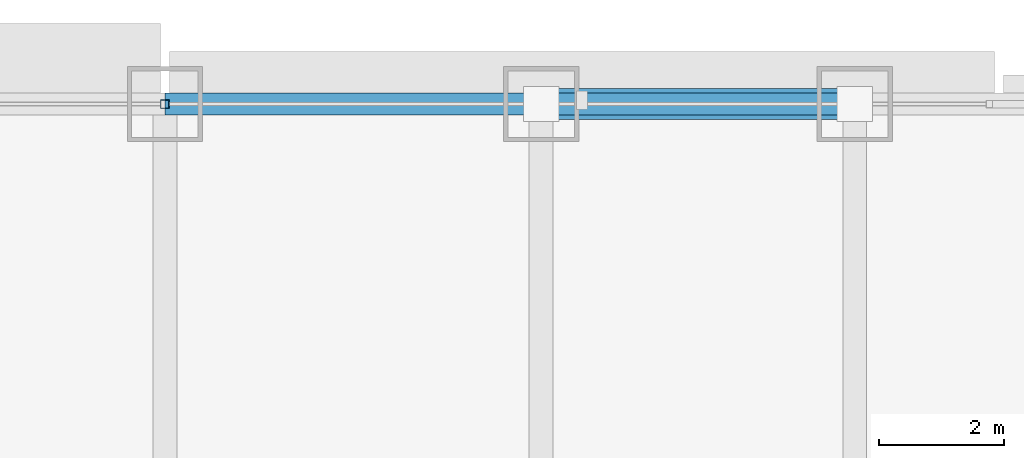
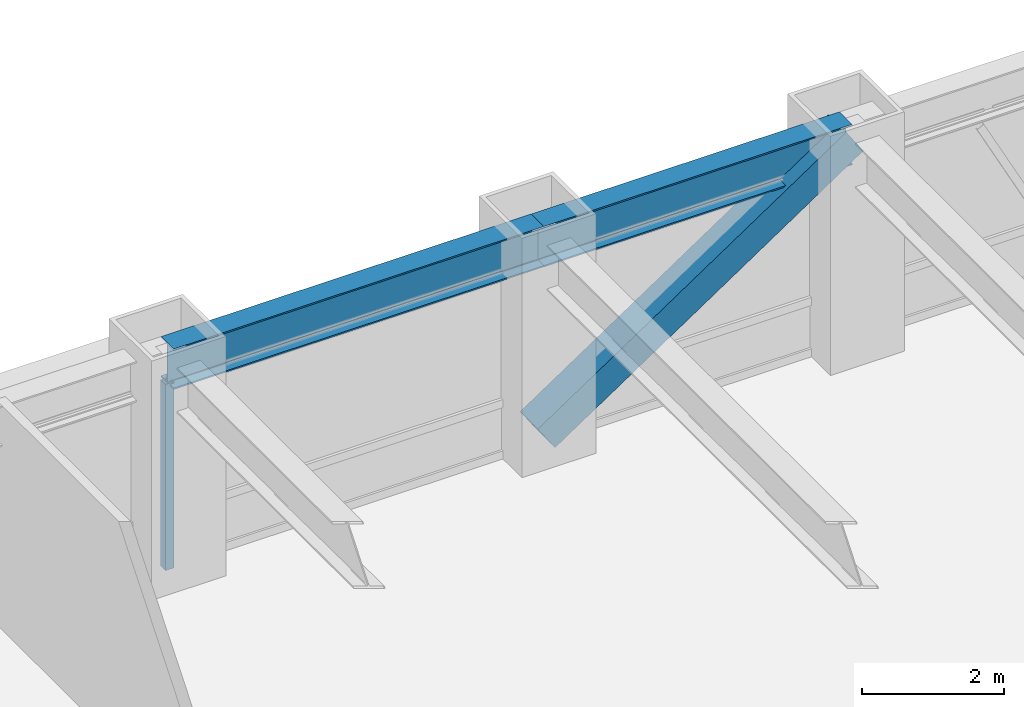
# One storey, part 19 of 32: 2 beams, 2 members, 1 element without a shape of its own.
"""IFC4 building model written with IfcOpenShell, lengths in metres."""

from ifc_helpers import new_model, si_unit, direction, frame, origin, origin_2d, place, context, subcontext, project, spatial, hollow_rectangle, i_section, extrude, source, transform, mapped, material, material_profile, profile_set, type_object, element, aggregate, save


model = new_model("IFC4")

# Units and contexts
model_context = context("Model", 3, precision=1e-05, world=origin(), true_north=direction((0.0, 1.0)))
body_context = subcontext(model_context, "Body", "Model", "MODEL_VIEW")
ifc_project = project(units=[si_unit("LENGTHUNIT", "METRE"), si_unit("AREAUNIT", "SQUARE_METRE"), si_unit("VOLUMEUNIT", "CUBIC_METRE"), si_unit("PLANEANGLEUNIT", "RADIAN"), si_unit("MASSUNIT", "GRAM", prefix="KILO")], contexts=[model_context])

# Site, building, storey
site_placement = place(None, origin())
site = spatial("IfcSite", under=ifc_project, at=site_placement, CompositionType="ELEMENT")
building_placement = place(site_placement, origin())
building = spatial("IfcBuilding", under=site, at=building_placement, Name="Khorayat Bourse Tower", CompositionType="ELEMENT")
storey_placement = place(building_placement, frame((0.0, 0.0, 136.5)))
storey = spatial("IfcBuildingStorey", under=building, at=storey_placement, Name="L31", CompositionType="ELEMENT", Elevation=136.5)

# Beams
ifc_material_1 = material(Name="Steel ASTM A992 Grade 50", Category="steel")
ifc_material_profile_1 = material_profile(ifc_material_1, i_section(OverallWidth=0.35498046875, OverallDepth=0.695068359375, WebThickness=0.015380859375, FlangeThickness=0.02490234375, FilletRadius=0.01806640625, at=origin_2d()), Name="W690X217")
ifc_profile_set_1 = profile_set([ifc_material_profile_1], Name="Steel ASTM A992 Grade 50")
beam_type = type_object("IfcBeamType", Name="BM-SPAN-690", PredefinedType="SPANDREL", material=ifc_profile_set_1)
shared_shape_1 = source(origin(), body_context, "Body", "SweptSolid", [
    extrude(i_section(OverallWidth=0.35498046875, OverallDepth=0.695068359375, WebThickness=0.015380859375, FlangeThickness=0.02490234375, FilletRadius=0.01806640625, at=origin_2d()), origin(), (0.0, 0.0, 1.0), 5.0),
])
beam_1_placement = place(storey_placement, frame((6.0, 32.0, 3.492431640625), z_axis=(1.0, 0.0, 0.0), x_axis=(0.0, 1.0, 0.0)))
element("IfcBeam", 1, at=beam_1_placement, inside=storey, type_object=beam_type, Name="L31 BM-SPAN-690 BM-L31-SPN-046", PredefinedType="SPANDREL", context=body_context, shape_type="MappedRepresentation", body=[
    mapped(shared_shape_1, transform((0.0, 0.0, 0.0), scale=1.0)),
])
shared_shape_2 = source(origin(), body_context, "Body", "SweptSolid", [
    extrude(i_section(OverallWidth=0.35498046875, OverallDepth=0.695068359375, WebThickness=0.015380859375, FlangeThickness=0.02490234375, FilletRadius=0.01806640625, at=origin_2d()), origin(), (0.0, 0.0, 1.0), 6.0),
])
beam_2_placement = place(storey_placement, frame((0.0, 32.0, 3.492431640625), z_axis=(1.0, 0.0, 0.0), x_axis=(0.0, 1.0, 0.0)))
element("IfcBeam", 2, at=beam_2_placement, inside=storey, type_object=beam_type, Name="L31 BM-SPAN-690 BM-L31-SPN-047", PredefinedType="SPANDREL", context=body_context, shape_type="MappedRepresentation", body=[
    mapped(shared_shape_2, transform((0.0, 0.0, 0.0), scale=1.0)),
])

# Member
ifc_material_2 = material(Name="Steel EN 10025-4 S460M", Category="steel")
ifc_material_profile_2 = material_profile(ifc_material_2, hollow_rectangle(XDim=0.5, YDim=0.5, WallThickness=0.028076171875, at=origin_2d()), Name="HSS 500x500x28")
ifc_profile_set_2 = profile_set([ifc_material_profile_2], Name="Steel EN 10025-4 S460M")
member_type_1 = type_object("IfcMemberType", Name="MBR-TUBE-500", PredefinedType="BRACE", material=ifc_profile_set_2)
shared_shape_3 = source(origin(), body_context, "Body", "SweptSolid", [
    extrude(hollow_rectangle(XDim=0.5, YDim=0.5, WallThickness=0.028076171875, at=origin_2d()), origin(), (0.0, 0.0, 1.0), 6.012939453125),
])
member_1_placement = place(storey_placement, frame((6.0, 32.0, 0.25), z_axis=(0.831531473026, 0.0, 0.555477640745), x_axis=(0.0, 1.0, 0.0)))
element("IfcMember", 3, at=member_1_placement, inside=storey, type_object=member_type_1, Name="L31 Perimeter Tube Brace 04", PredefinedType="BRACE", context=body_context, shape_type="MappedRepresentation", body=[
    mapped(shared_shape_3, transform((0.0, 0.0, 0.0), scale=1.0)),
])

# Curtain wall, member
ifc_material_3 = material(Name="Aluminium EN AW-6063 T6", Category="aluminium")
curtain_wall_type = type_object("IfcCurtainWallType", Name="CW-SYS-02", PredefinedType="NOTDEFINED", material=ifc_material_3)
curtain_wall_placement = place(storey_placement, origin())
curtain_wall = element("IfcCurtainWall", 4, at=curtain_wall_placement, inside=storey, type_object=curtain_wall_type, Name="L31 Curtain Wall CW-L31-N1", PredefinedType="NOTDEFINED")
ifc_material_profile_3 = material_profile(ifc_material_3, hollow_rectangle(XDim=0.139892578125, YDim=0.139892578125, WallThickness=0.006103515625, at=origin_2d()), Name="ALU 140x140x6")
ifc_profile_set_3 = profile_set([ifc_material_profile_3], Name="Aluminium EN AW-6063 T6")
member_type_2 = type_object("IfcMemberType", Name="CWM-VERT-140", PredefinedType="MULLION", material=ifc_profile_set_3)
shared_shape_4 = source(origin(), body_context, "Body", "SweptSolid", [
    extrude(hollow_rectangle(XDim=0.139892578125, YDim=0.139892578125, WallThickness=0.006103515625, at=origin_2d()), origin(), (0.0, 0.0, 1.0), 3.18994140625),
])
member_2_placement = place(storey_placement, frame((0.0, 32.0, 0.0), z_axis=(0.0, 0.0, 1.0), x_axis=(0.0, 1.0, 0.0)))
member_2 = element("IfcMember", 5, at=member_2_placement, type_object=member_type_2, Name="CW-L31-N1 Vertical Mullion 2", PredefinedType="MULLION", context=body_context, shape_type="MappedRepresentation", body=[
    mapped(shared_shape_4, transform((0.0, 0.0, 0.0), scale=1.0)),
])
aggregate(curtain_wall, [member_2])

save(model, "model.ifc")
